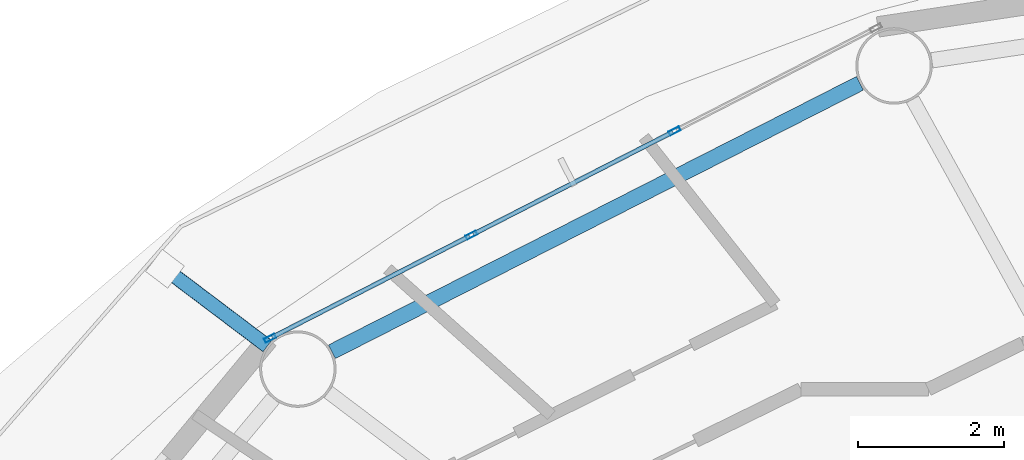
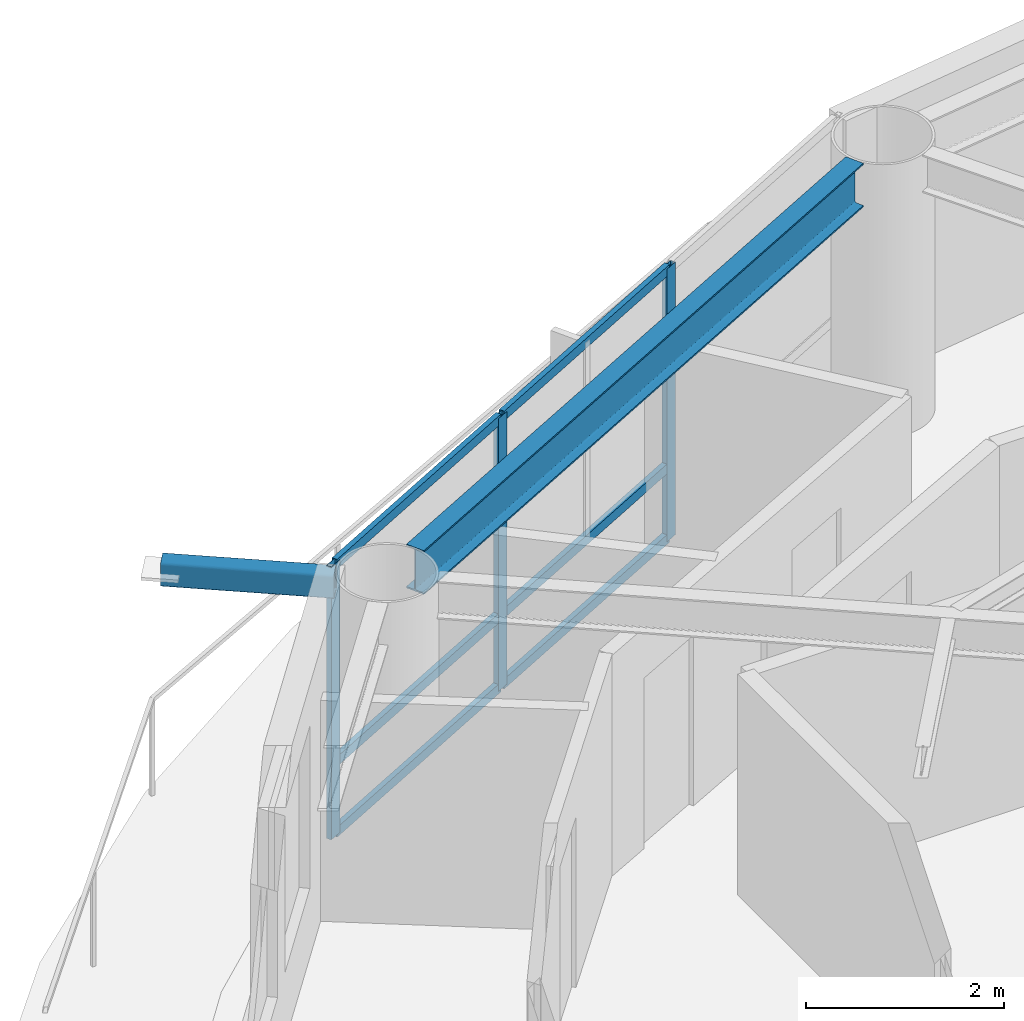
# One storey, part 8 of 23: 10 members, 1 beam, 1 element without a shape of its own.
"""IFC4 building model written with IfcOpenShell, lengths in metres."""

from ifc_helpers import new_model, si_unit, direction, frame, origin, origin_2d, place, context, subcontext, project, spatial, hollow_rectangle, i_section, extrude, material, layer, layer_set, material_profile, profile_set, type_object, element, aggregate, save


model = new_model("IFC4")

# Units and contexts
model_context = context("Model", 3, precision=1e-05, world=origin(), true_north=direction((0.0, 1.0)))
body_context = subcontext(model_context, "Body", "Model", "MODEL_VIEW")
ifc_project = project(units=[si_unit("LENGTHUNIT", "METRE"), si_unit("AREAUNIT", "SQUARE_METRE"), si_unit("VOLUMEUNIT", "CUBIC_METRE"), si_unit("PLANEANGLEUNIT", "RADIAN"), si_unit("MASSUNIT", "GRAM", prefix="KILO")], contexts=[model_context])

# Site, building, storey
site_placement = place(None, origin())
site = spatial("IfcSite", under=ifc_project, at=site_placement, CompositionType="ELEMENT")
building_placement = place(site_placement, origin())
building = spatial("IfcBuilding", under=site, at=building_placement, Name="Sarneth Arch Tower", CompositionType="ELEMENT")
storey_placement = place(building_placement, frame((0.0, 0.0, 235.199951171875)))
storey = spatial("IfcBuildingStorey", under=building, at=storey_placement, Name="L60", CompositionType="ELEMENT", Elevation=235.199951171875)

# Beam
ifc_material_1 = material(Name="Steel S355", Category="steel")
ifc_material_profile_1 = material_profile(ifc_material_1, i_section(OverallWidth=0.2109375, OverallDepth=0.5390625, WebThickness=0.01171875, FlangeThickness=0.018798828125, FilletRadius=0.01806640625, at=origin_2d()), Name="W530x109")
ifc_profile_set_1 = profile_set([ifc_material_profile_1], Name="Steel S355")
beam_type = type_object("IfcBeamType", Name="BM-RAD-530B", PredefinedType="BEAM", material=ifc_profile_set_1)
beam_placement = place(storey_placement, frame((37.7412109375, 59.50048828125, 3.090576171875), z_axis=(-0.891368271482, -0.453279830342, 0.0), x_axis=(0.453279830342, -0.891368271482, 0.0)))
element("IfcBeam", 1, at=beam_placement, inside=storey, type_object=beam_type, Name="L60 Perimeter spandrel beam 06", PredefinedType="BEAM", context=body_context, shape_type="SweptSolid", body=[
    extrude(i_section(OverallWidth=0.2109375, OverallDepth=0.5390625, WebThickness=0.01171875, FlangeThickness=0.018798828125, FilletRadius=0.01806640625, at=origin_2d()), origin(), (0.0, 0.0, 1.0), 8.1318359375),
])

# Curtain wall, members
ifc_material_2 = material(Name="Anodised aluminium Type AA25 and solar-control low-e laminated IGU", Category="aluminium")
ifc_layer = layer(ifc_material_2, 0.179931640625)
ifc_layer_set = layer_set([ifc_layer], Name="Anodised aluminium Type AA25 and solar-control low-e laminated IGU")
curtain_wall_type = type_object("IfcCurtainWallType", Name="CW-RES-HIGH", PredefinedType="NOTDEFINED", material=ifc_layer_set)
curtain_wall_placement = place(storey_placement, origin())
curtain_wall = element("IfcCurtainWall", 2, at=curtain_wall_placement, inside=storey, type_object=curtain_wall_type, Name="L60 Unitised curtain wall facet 06", PredefinedType="NOTDEFINED")
ifc_material_3 = material(Name="Anodised Aluminium 6063-T6", Category="aluminium")
ifc_material_profile_2 = material_profile(ifc_material_3, hollow_rectangle(XDim=0.06005859375, YDim=0.159912109375, WallThickness=0.00390625, at=origin_2d()), Name="AL-MULL-160x60x4")
ifc_profile_set_2 = profile_set([ifc_material_profile_2], Name="Anodised Aluminium 6063-T6")
member_type_1 = type_object("IfcMemberType", Name="CW-MULLION", PredefinedType="MULLION", material=ifc_profile_set_2)
member_1_placement = place(storey_placement, frame((35.197509765625, 58.844970703125, 0.0), z_axis=(0.0, 0.0, 1.0), x_axis=(0.455941901753, -0.890009540525, 0.0)))
member_1 = element("IfcMember", 3, at=member_1_placement, type_object=member_type_1, Name="CW-SYS-6 mullion 2", PredefinedType="MULLION", context=body_context, shape_type="SweptSolid", body=[
    extrude(hollow_rectangle(XDim=0.06005859375, YDim=0.159912109375, WallThickness=0.00390625, at=origin_2d()), origin(), (0.0, 0.0, 1.0), 3.360107421875),
])
member_2_placement = place(storey_placement, frame((32.407470703125, 57.415771484375, 0.0), z_axis=(0.0, 0.0, 1.0), x_axis=(0.455941901753, -0.890009540525, 0.0)))
member_2 = element("IfcMember", 4, at=member_2_placement, type_object=member_type_1, Name="CW-SYS-6 mullion 3", PredefinedType="MULLION", context=body_context, shape_type="SweptSolid", body=[
    extrude(hollow_rectangle(XDim=0.06005859375, YDim=0.159912109375, WallThickness=0.00390625, at=origin_2d()), origin(), (0.0, 0.0, 1.0), 3.360107421875),
])
member_3_placement = place(storey_placement, frame((29.644287109375, 56.000244140625, 0.0), z_axis=(0.0, 0.0, 1.0), x_axis=(0.455941901753, -0.890009540525, 0.0)))
member_3 = element("IfcMember", 5, at=member_3_placement, type_object=member_type_1, Name="CW-SYS-6 mullion 4", PredefinedType="MULLION", context=body_context, shape_type="SweptSolid", body=[
    extrude(hollow_rectangle(XDim=0.06005859375, YDim=0.159912109375, WallThickness=0.00390625, at=origin_2d()), origin(), (0.0, 0.0, 1.0), 3.360107421875),
])
ifc_material_4 = material(Name="Anodised Aluminium 6063-T6", Category="aluminium")
ifc_material_profile_3 = material_profile(ifc_material_4, hollow_rectangle(XDim=0.06005859375, YDim=0.1201171875, WallThickness=0.00390625, at=origin_2d()), Name="AL-TRAN-120x60x4")
ifc_profile_set_3 = profile_set([ifc_material_profile_3], Name="Anodised Aluminium 6063-T6")
member_type_2 = type_object("IfcMemberType", Name="CW-TRANSOM", PredefinedType="USERDEFINED", material=ifc_profile_set_3)
member_4_placement = place(storey_placement, frame((35.170654296875, 58.831298828125, 0.030029296875), z_axis=(-0.890017432405, -0.455926496286, 0.0), x_axis=(0.455926496286, -0.890017432405, 0.0)))
member_4 = element("IfcMember", 6, at=member_4_placement, type_object=member_type_2, Name="CW-SYS-6 transom 2.1", ObjectType="TRANSOM", PredefinedType="USERDEFINED", context=body_context, shape_type="SweptSolid", body=[
    extrude(hollow_rectangle(XDim=0.06005859375, YDim=0.1201171875, WallThickness=0.00390625, at=origin_2d()), origin(), (0.0, 0.0, 1.0), 3.07470703125),
])
member_5_placement = place(storey_placement, frame((35.170654296875, 58.831298828125, 0.900146484375), z_axis=(-0.890017432405, -0.455926496286, 0.0), x_axis=(0.455926496286, -0.890017432405, 0.0)))
member_5 = element("IfcMember", 7, at=member_5_placement, type_object=member_type_2, Name="CW-SYS-6 transom 2.2", ObjectType="TRANSOM", PredefinedType="USERDEFINED", context=body_context, shape_type="SweptSolid", body=[
    extrude(hollow_rectangle(XDim=0.06005859375, YDim=0.1201171875, WallThickness=0.00390625, at=origin_2d()), origin(), (0.0, 0.0, 1.0), 3.07470703125),
])
member_6_placement = place(storey_placement, frame((35.170654296875, 58.831298828125, 3.330078125), z_axis=(-0.890017432405, -0.455926496286, 0.0), x_axis=(0.455926496286, -0.890017432405, 0.0)))
member_6 = element("IfcMember", 8, at=member_6_placement, type_object=member_type_2, Name="CW-SYS-6 transom 2.3", ObjectType="TRANSOM", PredefinedType="USERDEFINED", context=body_context, shape_type="SweptSolid", body=[
    extrude(hollow_rectangle(XDim=0.06005859375, YDim=0.1201171875, WallThickness=0.00390625, at=origin_2d()), origin(), (0.0, 0.0, 1.0), 3.07470703125),
])
member_7_placement = place(storey_placement, frame((32.380859375, 57.402099609375, 0.030029296875), z_axis=(-0.890022732705, -0.455916149384, 0.0), x_axis=(0.455916149384, -0.890022732705, 0.0)))
member_7 = element("IfcMember", 9, at=member_7_placement, type_object=member_type_2, Name="CW-SYS-6 transom 3.1", ObjectType="TRANSOM", PredefinedType="USERDEFINED", context=body_context, shape_type="SweptSolid", body=[
    extrude(hollow_rectangle(XDim=0.06005859375, YDim=0.1201171875, WallThickness=0.00390625, at=origin_2d()), origin(), (0.0, 0.0, 1.0), 3.044921875),
])
member_8_placement = place(storey_placement, frame((32.380859375, 57.402099609375, 0.900146484375), z_axis=(-0.890022732705, -0.455916149384, 0.0), x_axis=(0.455916149384, -0.890022732705, 0.0)))
member_8 = element("IfcMember", 10, at=member_8_placement, type_object=member_type_2, Name="CW-SYS-6 transom 3.2", ObjectType="TRANSOM", PredefinedType="USERDEFINED", context=body_context, shape_type="SweptSolid", body=[
    extrude(hollow_rectangle(XDim=0.06005859375, YDim=0.1201171875, WallThickness=0.00390625, at=origin_2d()), origin(), (0.0, 0.0, 1.0), 3.044921875),
])
member_9_placement = place(storey_placement, frame((32.380859375, 57.402099609375, 3.330078125), z_axis=(-0.890022732705, -0.455916149384, 0.0), x_axis=(0.455916149384, -0.890022732705, 0.0)))
member_9 = element("IfcMember", 11, at=member_9_placement, type_object=member_type_2, Name="CW-SYS-6 transom 3.3", ObjectType="TRANSOM", PredefinedType="USERDEFINED", context=body_context, shape_type="SweptSolid", body=[
    extrude(hollow_rectangle(XDim=0.06005859375, YDim=0.1201171875, WallThickness=0.00390625, at=origin_2d()), origin(), (0.0, 0.0, 1.0), 3.044921875),
])
aggregate(curtain_wall, [member_1, member_2, member_3, member_4, member_5, member_6, member_7, member_8, member_9])

# Member
ifc_material_5 = material(Name="Steel S355", Category="steel")
ifc_material_profile_4 = material_profile(ifc_material_5, hollow_rectangle(XDim=0.199951171875, YDim=0.300048828125, WallThickness=0.012451171875, InnerFilletRadius=0.018798828125, OuterFilletRadius=0.03125, at=origin_2d()), Name="RHS300x200x12.5")
ifc_profile_set_4 = profile_set([ifc_material_profile_4], Name="Steel S355")
member_type_3 = type_object("IfcMemberType", Name="MEM-CANT-STRUT", PredefinedType="STRUT", material=ifc_profile_set_4)
member_10_placement = place(storey_placement, frame((29.60595703125, 55.892822265625, 3.199951171875), z_axis=(-0.798016889035, 0.602635084288, 0.0), x_axis=(-0.602635084288, -0.798016889035, 0.0)))
element("IfcMember", 12, at=member_10_placement, inside=storey, type_object=member_type_3, Name="L60 Balcony cantilever bracket 07", PredefinedType="STRUT", context=body_context, shape_type="SweptSolid", body=[
    extrude(hollow_rectangle(XDim=0.199951171875, YDim=0.300048828125, WallThickness=0.012451171875, InnerFilletRadius=0.018798828125, OuterFilletRadius=0.03125, at=origin_2d()), origin(), (0.0, 0.0, 1.0), 1.761962890625),
])

save(model, "model.ifc")
